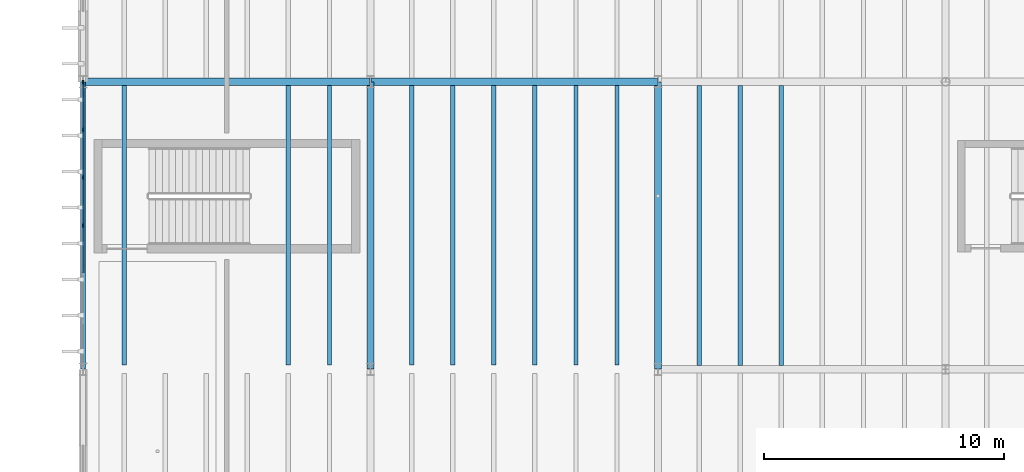
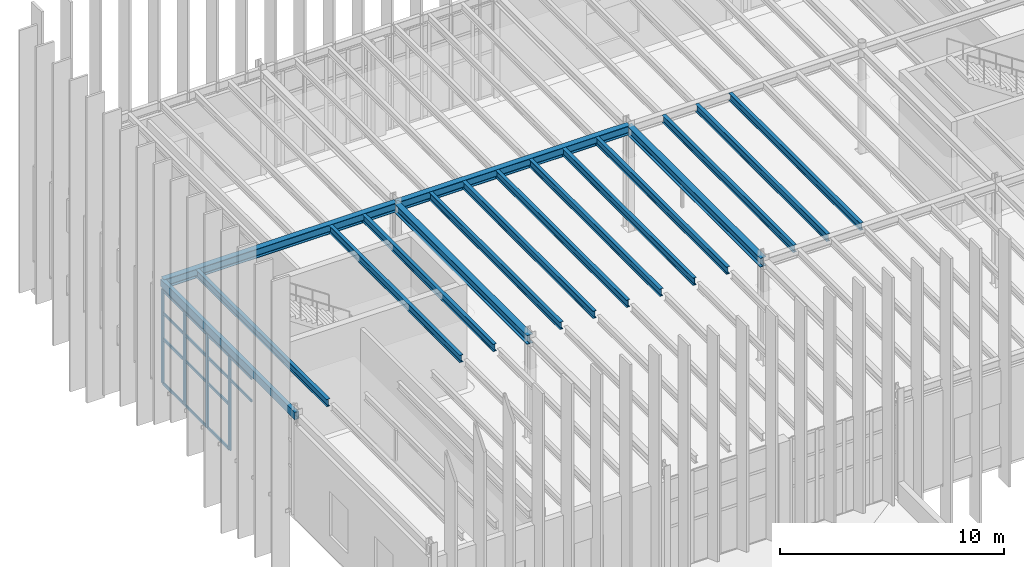
# One storey, part 16 of 83: 18 members, 17 beams, 1 element without a shape of its own.
"""IFC4 building model written with IfcOpenShell, lengths in metres."""

from ifc_helpers import new_model, si_unit, direction, frame, origin, origin_2d, place, context, subcontext, project, spatial, rectangle, hollow_rectangle, i_section, extrude, material, layer, layer_set, material_profile, profile_set, type_object, element, aggregate, save


model = new_model("IFC4")

# Units and contexts
model_context = context("Model", 3, precision=1e-05, world=origin(), true_north=direction((0.0, 1.0)))
body_context = subcontext(model_context, "Body", "Model", "MODEL_VIEW")
ifc_project = project(units=[si_unit("LENGTHUNIT", "METRE"), si_unit("AREAUNIT", "SQUARE_METRE"), si_unit("VOLUMEUNIT", "CUBIC_METRE"), si_unit("PLANEANGLEUNIT", "RADIAN"), si_unit("MASSUNIT", "GRAM", prefix="KILO")], contexts=[model_context])

# Site, building, storey
site_placement = place(None, origin())
site = spatial("IfcSite", under=ifc_project, at=site_placement, CompositionType="ELEMENT")
building_placement = place(site_placement, origin())
building = spatial("IfcBuilding", under=site, at=building_placement, Name="Zlatogorsky Bluff Art Gallery", CompositionType="ELEMENT")
storey_placement = place(building_placement, frame((0.0, 0.0, 10.800048828125)))
storey = spatial("IfcBuildingStorey", under=building, at=storey_placement, Name="L02", CompositionType="ELEMENT", Elevation=10.800048828125)

# Beams
ifc_material_1 = material(Name="Steel S355", Category="steel")
ifc_material_profile_1 = material_profile(ifc_material_1, i_section(OverallWidth=0.300048828125, OverallDepth=0.489990234375, WebThickness=0.011962890625, FlangeThickness=0.02294921875, FilletRadius=0.027099609375, at=origin_2d()), Name="HEA 500")
ifc_profile_set_1 = profile_set([ifc_material_profile_1], Name="Steel S355")
beam_type_1 = type_object("IfcBeamType", Name="Beam BM-07 HEA 500", PredefinedType="BEAM", material=ifc_profile_set_1)
for number, where, z_axis, x_axis, name in (
    (1, (0.014892578125, 108.0, 5.445068359375), (1.0, 0.0, 0.0), (0.0, 1.0, 0.0), "Primary girder BM-07 L02 A-B/11"),
    (2, (12.014892578125, 108.0, 5.445068359375), (1.0, 0.0, 0.0), (0.0, 1.0, 0.0), "Primary girder BM-07 L02 B-C/11"),
    (3, (12.0, 96.014892578125, 5.445068359375), (0.0, 1.0, 0.0), (-1.0, 0.0, 0.0), "Primary girder BM-07 L02 B/10-11"),
    (4, (24.0, 96.014892578125, 5.445068359375), (0.0, 1.0, 0.0), (-1.0, 0.0, 0.0), "Primary girder BM-07 L02 C/10-11"),
):
    element("IfcBeam", number, at=place(storey_placement, frame(where, z_axis=z_axis, x_axis=x_axis)), inside=storey, type_object=beam_type_1, Name=name, PredefinedType="BEAM", context=body_context, shape_type="SweptSolid", body=[
        extrude(i_section(OverallWidth=0.300048828125, OverallDepth=0.489990234375, WebThickness=0.011962890625, FlangeThickness=0.02294921875, FilletRadius=0.027099609375, at=origin_2d()), origin(), (0.0, 0.0, 1.0), 11.97021484375),
    ])
ifc_material_profile_2 = material_profile(ifc_material_1, i_section(OverallWidth=0.179931640625, OverallDepth=0.39990234375, WebThickness=0.008544921875, FlangeThickness=0.013427734375, FilletRadius=0.02099609375, at=origin_2d()), Name="IPE 400")
ifc_profile_set_2 = profile_set([ifc_material_profile_2], Name="Steel S355")
beam_type_2 = type_object("IfcBeamType", Name="Beam JS-05 IPE 400", PredefinedType="JOIST", material=ifc_profile_set_2)
for number, where, z_axis, x_axis, name in (
    (5, (1.71435546875, 96.175048828125, 5.489990234375), (0.0, 1.0, 0.0), (-1.0, 0.0, 0.0), "Composite floor joist JS-05 L02 00.09.1"),
    (6, (8.571533203125, 96.175048828125, 5.489990234375), (0.0, 1.0, 0.0), (-1.0, 0.0, 0.0), "Composite floor joist JS-05 L02 00.09.5"),
    (7, (10.28564453125, 96.175048828125, 5.489990234375), (0.0, 1.0, 0.0), (-1.0, 0.0, 0.0), "Composite floor joist JS-05 L02 00.09.6"),
    (8, (13.71435546875, 96.175048828125, 5.489990234375), (0.0, 1.0, 0.0), (-1.0, 0.0, 0.0), "Composite floor joist JS-05 L02 01.09.1"),
    (9, (15.428466796875, 96.175048828125, 5.489990234375), (0.0, 1.0, 0.0), (-1.0, 0.0, 0.0), "Composite floor joist JS-05 L02 01.09.2"),
    (10, (17.142822265625, 96.175048828125, 5.489990234375), (0.0, 1.0, 0.0), (-1.0, 0.0, 0.0), "Composite floor joist JS-05 L02 01.09.3"),
    (11, (18.857177734375, 96.175048828125, 5.489990234375), (0.0, 1.0, 0.0), (-1.0, 0.0, 0.0), "Composite floor joist JS-05 L02 01.09.4"),
    (12, (20.571533203125, 96.175048828125, 5.489990234375), (0.0, 1.0, 0.0), (-1.0, 0.0, 0.0), "Composite floor joist JS-05 L02 01.09.5"),
    (13, (22.28564453125, 96.175048828125, 5.489990234375), (0.0, 1.0, 0.0), (-1.0, 0.0, 0.0), "Composite floor joist JS-05 L02 01.09.6"),
):
    element("IfcBeam", number, at=place(storey_placement, frame(where, z_axis=z_axis, x_axis=x_axis)), inside=storey, type_object=beam_type_2, Name=name, PredefinedType="JOIST", context=body_context, shape_type="SweptSolid", body=[
        extrude(i_section(OverallWidth=0.179931640625, OverallDepth=0.39990234375, WebThickness=0.008544921875, FlangeThickness=0.013427734375, FilletRadius=0.02099609375, at=origin_2d()), origin(), (0.0, 0.0, 1.0), 11.675048828125),
    ])
for number, where, z_axis, x_axis, name in (
    (14, (25.71435546875, 96.14990234375, 5.489990234375), (0.0, 1.0, 0.0), (-1.0, 0.0, 0.0), "Composite floor joist JS-05 L02 02.09.1"),
    (15, (27.428466796875, 96.14990234375, 5.489990234375), (0.0, 1.0, 0.0), (-1.0, 0.0, 0.0), "Composite floor joist JS-05 L02 02.09.2"),
    (16, (29.142822265625, 96.14990234375, 5.489990234375), (0.0, 1.0, 0.0), (-1.0, 0.0, 0.0), "Composite floor joist JS-05 L02 02.09.3"),
):
    element("IfcBeam", number, at=place(storey_placement, frame(where, z_axis=z_axis, x_axis=x_axis)), inside=storey, type_object=beam_type_2, Name=name, PredefinedType="JOIST", context=body_context, shape_type="SweptSolid", body=[
        extrude(i_section(OverallWidth=0.179931640625, OverallDepth=0.39990234375, WebThickness=0.008544921875, FlangeThickness=0.013427734375, FilletRadius=0.02099609375, at=origin_2d()), origin(), (0.0, 0.0, 1.0), 11.7001953125),
    ])
ifc_material_profile_3 = material_profile(ifc_material_1, hollow_rectangle(XDim=0.199951171875, YDim=0.39990234375, WallThickness=0.01611328125, at=origin_2d()), Name="RHS 400x200x16")
ifc_profile_set_3 = profile_set([ifc_material_profile_3], Name="Steel S355")
beam_type_3 = type_object("IfcBeamType", Name="Beam SP-02 RHS 400x200x16", PredefinedType="SPANDREL", material=ifc_profile_set_3)
beam_placement = place(storey_placement, frame((0.0, 96.014892578125, 5.489990234375), z_axis=(0.0, 1.0, 0.0), x_axis=(-1.0, 0.0, 0.0)))
element("IfcBeam", 17, at=beam_placement, inside=storey, type_object=beam_type_3, Name="Primary girder SP-02 L02 A/10-11", PredefinedType="SPANDREL", context=body_context, shape_type="SweptSolid", body=[
    extrude(hollow_rectangle(XDim=0.199951171875, YDim=0.39990234375, WallThickness=0.01611328125, at=origin_2d()), origin(), (0.0, 0.0, 1.0), 11.97021484375),
])

# Curtain wall, members
ifc_material_2 = material(Name="Anodised Bronze Aluminium and Low-Iron Triple Glazing", Category="aluminium")
ifc_layer = layer(ifc_material_2, 0.219970703125)
ifc_layer_set = layer_set([ifc_layer], Name="Curtain Wall CW-04")
curtain_wall_type = type_object("IfcCurtainWallType", Name="Curtain Wall CW-04", PredefinedType="USERDEFINED", material=ifc_layer_set)
curtain_wall_placement = place(storey_placement, origin())
curtain_wall = element("IfcCurtainWall", 18, at=curtain_wall_placement, inside=storey, type_object=curtain_wall_type, Name="Unitised curtain wall CW-04 L02 W 0.9", ObjectType="CURTAIN WALL", PredefinedType="USERDEFINED")
ifc_material_3 = material(Name="Anodised Bronze Aluminium", Category="aluminium")
ifc_material_profile_4 = material_profile(ifc_material_3, rectangle(XDim=0.06494140625, YDim=0.179931640625, at=origin_2d()), Name="ALU MULLION 65x180")
ifc_profile_set_4 = profile_set([ifc_material_profile_4], Name="Anodised Bronze Aluminium")
member_type_1 = type_object("IfcMemberType", Name="Curtain Mullion ML-01", PredefinedType="MULLION", material=ifc_profile_set_4)
member_1_placement = place(storey_placement, frame((0.0, 107.967529296875, 0.0), z_axis=(0.0, 0.0, 1.0), x_axis=(1.0, 0.0, 0.0)))
member_1 = element("IfcMember", 19, at=member_1_placement, type_object=member_type_1, Name="CW-04 mullion 1", PredefinedType="MULLION", context=body_context, shape_type="SweptSolid", body=[
    extrude(rectangle(XDim=0.06494140625, YDim=0.179931640625, at=origin_2d()), origin(), (0.0, 0.0, 1.0), 5.10986328125),
])
member_2_placement = place(storey_placement, frame((0.0, 106.0, 0.0), z_axis=(0.0, 0.0, 1.0), x_axis=(1.0, 0.0, 0.0)))
member_2 = element("IfcMember", 20, at=member_2_placement, type_object=member_type_1, Name="CW-04 mullion 2", PredefinedType="MULLION", context=body_context, shape_type="SweptSolid", body=[
    extrude(rectangle(XDim=0.06494140625, YDim=0.179931640625, at=origin_2d()), origin(), (0.0, 0.0, 1.0), 5.10986328125),
])
member_3_placement = place(storey_placement, frame((0.0, 104.0, 0.0), z_axis=(0.0, 0.0, 1.0), x_axis=(1.0, 0.0, 0.0)))
member_3 = element("IfcMember", 21, at=member_3_placement, type_object=member_type_1, Name="CW-04 mullion 3", PredefinedType="MULLION", context=body_context, shape_type="SweptSolid", body=[
    extrude(rectangle(XDim=0.06494140625, YDim=0.179931640625, at=origin_2d()), origin(), (0.0, 0.0, 1.0), 5.10986328125),
])
member_4_placement = place(storey_placement, frame((0.0, 102.0, 0.0), z_axis=(0.0, 0.0, 1.0), x_axis=(1.0, 0.0, 0.0)))
member_4 = element("IfcMember", 22, at=member_4_placement, type_object=member_type_1, Name="CW-04 mullion 4", PredefinedType="MULLION", context=body_context, shape_type="SweptSolid", body=[
    extrude(rectangle(XDim=0.06494140625, YDim=0.179931640625, at=origin_2d()), origin(), (0.0, 0.0, 1.0), 5.10986328125),
])
ifc_material_profile_5 = material_profile(ifc_material_3, rectangle(XDim=0.06494140625, YDim=0.139892578125, at=origin_2d()), Name="ALU TRANSOM 65x140")
ifc_profile_set_5 = profile_set([ifc_material_profile_5], Name="Anodised Bronze Aluminium")
member_type_2 = type_object("IfcMemberType", Name="Curtain Transom TR-01", PredefinedType="USERDEFINED", material=ifc_profile_set_5)
member_5_placement = place(storey_placement, frame((0.0, 107.93505859375, 0.032470703125), z_axis=(0.0, -1.0, 0.0), x_axis=(1.0, 0.0, 0.0)))
member_5 = element("IfcMember", 23, at=member_5_placement, type_object=member_type_2, Name="CW-04 transom 1.1", ObjectType="TRANSOM", PredefinedType="USERDEFINED", context=body_context, shape_type="SweptSolid", body=[
    extrude(rectangle(XDim=0.06494140625, YDim=0.139892578125, at=origin_2d()), origin(), (0.0, 0.0, 1.0), 1.902587890625),
])
member_6_placement = place(storey_placement, frame((0.0, 107.93505859375, 2.449951171875), z_axis=(0.0, -1.0, 0.0), x_axis=(1.0, 0.0, 0.0)))
member_6 = element("IfcMember", 24, at=member_6_placement, type_object=member_type_2, Name="CW-04 transom 1.2", ObjectType="TRANSOM", PredefinedType="USERDEFINED", context=body_context, shape_type="SweptSolid", body=[
    extrude(rectangle(XDim=0.06494140625, YDim=0.139892578125, at=origin_2d()), origin(), (0.0, 0.0, 1.0), 1.902587890625),
])
member_7_placement = place(storey_placement, frame((0.0, 107.93505859375, 3.849853515625), z_axis=(0.0, -1.0, 0.0), x_axis=(1.0, 0.0, 0.0)))
member_7 = element("IfcMember", 25, at=member_7_placement, type_object=member_type_2, Name="CW-04 transom 1.3", ObjectType="TRANSOM", PredefinedType="USERDEFINED", context=body_context, shape_type="SweptSolid", body=[
    extrude(rectangle(XDim=0.06494140625, YDim=0.139892578125, at=origin_2d()), origin(), (0.0, 0.0, 1.0), 1.902587890625),
])
member_8_placement = place(storey_placement, frame((0.0, 107.93505859375, 5.077392578125), z_axis=(0.0, -1.0, 0.0), x_axis=(1.0, 0.0, 0.0)))
member_8 = element("IfcMember", 26, at=member_8_placement, type_object=member_type_2, Name="CW-04 transom 1.4", ObjectType="TRANSOM", PredefinedType="USERDEFINED", context=body_context, shape_type="SweptSolid", body=[
    extrude(rectangle(XDim=0.06494140625, YDim=0.139892578125, at=origin_2d()), origin(), (0.0, 0.0, 1.0), 1.902587890625),
])
member_9_placement = place(storey_placement, frame((0.0, 105.967529296875, 0.032470703125), z_axis=(0.0, -1.0, 0.0), x_axis=(1.0, 0.0, 0.0)))
member_9 = element("IfcMember", 27, at=member_9_placement, type_object=member_type_2, Name="CW-04 transom 2.1", ObjectType="TRANSOM", PredefinedType="USERDEFINED", context=body_context, shape_type="SweptSolid", body=[
    extrude(rectangle(XDim=0.06494140625, YDim=0.139892578125, at=origin_2d()), origin(), (0.0, 0.0, 1.0), 1.93505859375),
])
member_10_placement = place(storey_placement, frame((0.0, 105.967529296875, 2.449951171875), z_axis=(0.0, -1.0, 0.0), x_axis=(1.0, 0.0, 0.0)))
member_10 = element("IfcMember", 28, at=member_10_placement, type_object=member_type_2, Name="CW-04 transom 2.2", ObjectType="TRANSOM", PredefinedType="USERDEFINED", context=body_context, shape_type="SweptSolid", body=[
    extrude(rectangle(XDim=0.06494140625, YDim=0.139892578125, at=origin_2d()), origin(), (0.0, 0.0, 1.0), 1.93505859375),
])
member_11_placement = place(storey_placement, frame((0.0, 105.967529296875, 3.849853515625), z_axis=(0.0, -1.0, 0.0), x_axis=(1.0, 0.0, 0.0)))
member_11 = element("IfcMember", 29, at=member_11_placement, type_object=member_type_2, Name="CW-04 transom 2.3", ObjectType="TRANSOM", PredefinedType="USERDEFINED", context=body_context, shape_type="SweptSolid", body=[
    extrude(rectangle(XDim=0.06494140625, YDim=0.139892578125, at=origin_2d()), origin(), (0.0, 0.0, 1.0), 1.93505859375),
])
member_12_placement = place(storey_placement, frame((0.0, 105.967529296875, 5.077392578125), z_axis=(0.0, -1.0, 0.0), x_axis=(1.0, 0.0, 0.0)))
member_12 = element("IfcMember", 30, at=member_12_placement, type_object=member_type_2, Name="CW-04 transom 2.4", ObjectType="TRANSOM", PredefinedType="USERDEFINED", context=body_context, shape_type="SweptSolid", body=[
    extrude(rectangle(XDim=0.06494140625, YDim=0.139892578125, at=origin_2d()), origin(), (0.0, 0.0, 1.0), 1.93505859375),
])
member_13_placement = place(storey_placement, frame((0.0, 103.967529296875, 0.032470703125), z_axis=(0.0, -1.0, 0.0), x_axis=(1.0, 0.0, 0.0)))
member_13 = element("IfcMember", 31, at=member_13_placement, type_object=member_type_2, Name="CW-04 transom 3.1", ObjectType="TRANSOM", PredefinedType="USERDEFINED", context=body_context, shape_type="SweptSolid", body=[
    extrude(rectangle(XDim=0.06494140625, YDim=0.139892578125, at=origin_2d()), origin(), (0.0, 0.0, 1.0), 1.93505859375),
])
member_14_placement = place(storey_placement, frame((0.0, 103.967529296875, 2.449951171875), z_axis=(0.0, -1.0, 0.0), x_axis=(1.0, 0.0, 0.0)))
member_14 = element("IfcMember", 32, at=member_14_placement, type_object=member_type_2, Name="CW-04 transom 3.2", ObjectType="TRANSOM", PredefinedType="USERDEFINED", context=body_context, shape_type="SweptSolid", body=[
    extrude(rectangle(XDim=0.06494140625, YDim=0.139892578125, at=origin_2d()), origin(), (0.0, 0.0, 1.0), 1.93505859375),
])
member_15_placement = place(storey_placement, frame((0.0, 103.967529296875, 3.849853515625), z_axis=(0.0, -1.0, 0.0), x_axis=(1.0, 0.0, 0.0)))
member_15 = element("IfcMember", 33, at=member_15_placement, type_object=member_type_2, Name="CW-04 transom 3.3", ObjectType="TRANSOM", PredefinedType="USERDEFINED", context=body_context, shape_type="SweptSolid", body=[
    extrude(rectangle(XDim=0.06494140625, YDim=0.139892578125, at=origin_2d()), origin(), (0.0, 0.0, 1.0), 1.93505859375),
])
member_16_placement = place(storey_placement, frame((0.0, 103.967529296875, 5.077392578125), z_axis=(0.0, -1.0, 0.0), x_axis=(1.0, 0.0, 0.0)))
member_16 = element("IfcMember", 34, at=member_16_placement, type_object=member_type_2, Name="CW-04 transom 3.4", ObjectType="TRANSOM", PredefinedType="USERDEFINED", context=body_context, shape_type="SweptSolid", body=[
    extrude(rectangle(XDim=0.06494140625, YDim=0.139892578125, at=origin_2d()), origin(), (0.0, 0.0, 1.0), 1.93505859375),
])
member_17_placement = place(storey_placement, frame((0.0, 101.967529296875, 3.849853515625), z_axis=(0.0, -1.0, 0.0), x_axis=(1.0, 0.0, 0.0)))
member_17 = element("IfcMember", 35, at=member_17_placement, type_object=member_type_2, Name="CW-04 transom 4.3", ObjectType="TRANSOM", PredefinedType="USERDEFINED", context=body_context, shape_type="SweptSolid", body=[
    extrude(rectangle(XDim=0.06494140625, YDim=0.139892578125, at=origin_2d()), origin(), (0.0, 0.0, 1.0), 1.93505859375),
])
member_18_placement = place(storey_placement, frame((0.0, 101.967529296875, 5.077392578125), z_axis=(0.0, -1.0, 0.0), x_axis=(1.0, 0.0, 0.0)))
member_18 = element("IfcMember", 36, at=member_18_placement, type_object=member_type_2, Name="CW-04 transom 4.4", ObjectType="TRANSOM", PredefinedType="USERDEFINED", context=body_context, shape_type="SweptSolid", body=[
    extrude(rectangle(XDim=0.06494140625, YDim=0.139892578125, at=origin_2d()), origin(), (0.0, 0.0, 1.0), 1.93505859375),
])
aggregate(curtain_wall, [member_1, member_2, member_3, member_4, member_5, member_6, member_7, member_8, member_9, member_10, member_11, member_12, member_13, member_14, member_15, member_16, member_17, member_18])

save(model, "model.ifc")
